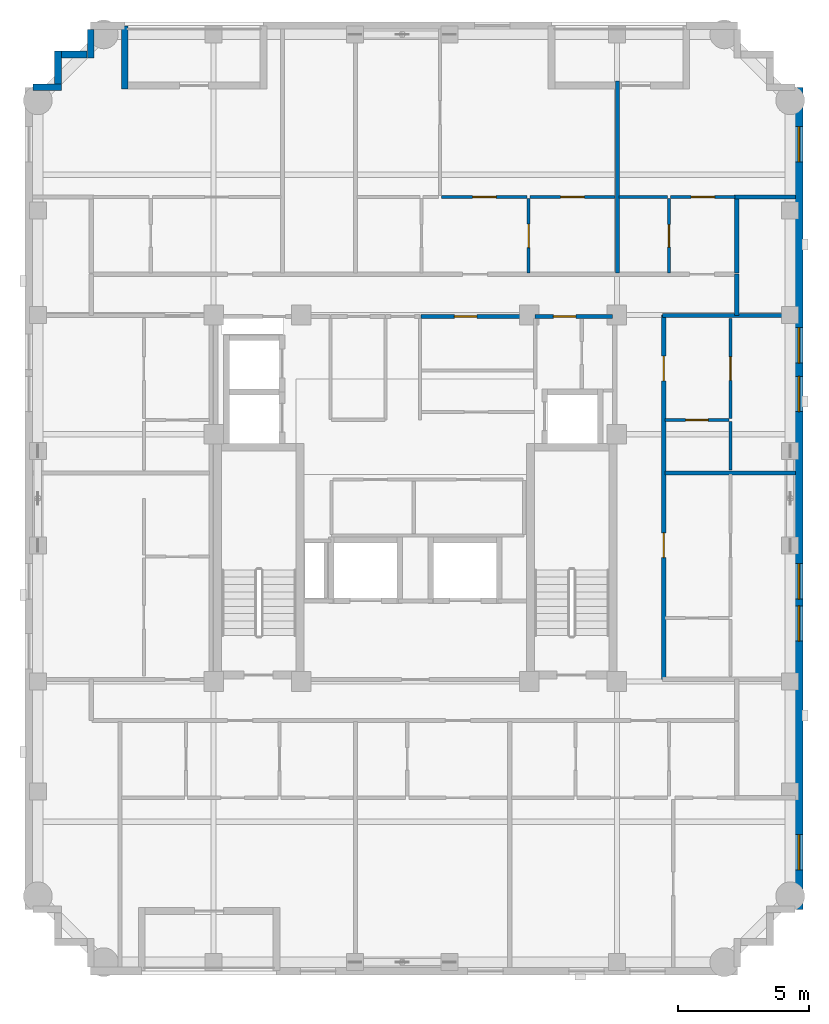
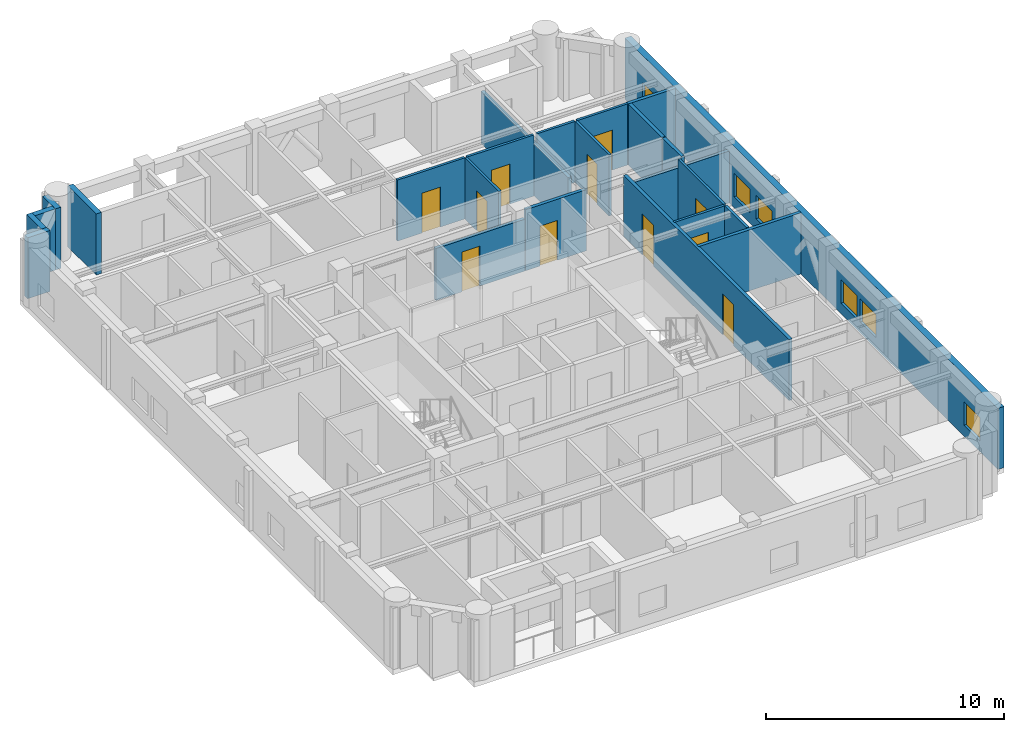
# One storey, part 6 of 10: 24 walls, 11 doors, 6 windows, 17 openings.
"""IFC4 building model written with IfcOpenShell, lengths in metres."""

from ifc_helpers import new_model, si_unit, derived_unit, direction, frame, frame_2d, origin, place, context, subcontext, project, spatial, rectangle, extrude, material, layer, layer_set, type_object, element, fill, save


model = new_model("IFC4")

# Units and contexts
model_context = context("Model", 3, precision=1e-05, world=origin(), true_north=direction((0.0, 1.0)))
body_context = subcontext(model_context, "Body", "Model", "MODEL_VIEW")
ifc_project = project(units=[si_unit("LENGTHUNIT", "METRE"), si_unit("AREAUNIT", "SQUARE_METRE"), si_unit("VOLUMEUNIT", "CUBIC_METRE"), si_unit("PLANEANGLEUNIT", "RADIAN"), si_unit("MASSUNIT", "GRAM", prefix="KILO"), derived_unit("THERMALTRANSMITTANCEUNIT", [(si_unit("MASSUNIT", "GRAM", prefix="KILO"), 1), (si_unit("TIMEUNIT", "SECOND"), -3), (si_unit("THERMODYNAMICTEMPERATUREUNIT", "KELVIN"), -1)])], contexts=[model_context])

# Site, building, storey
site_placement = place(None, origin())
site = spatial("IfcSite", under=ifc_project, at=site_placement, CompositionType="ELEMENT")
building_placement = place(site_placement, origin())
building = spatial("IfcBuilding", under=site, at=building_placement, Name="Korrvale Station Residences", CompositionType="ELEMENT")
storey_placement = place(building_placement, frame((0.0, 0.0, 234.300048828125)))
storey = spatial("IfcBuildingStorey", under=building, at=storey_placement, Name="L68", CompositionType="ELEMENT", Elevation=234.300048828125)

# Walls
ifc_material_1 = material(Name="Precast concrete C45/55", Category="concrete")
ifc_layer_1 = layer(ifc_material_1, 0.260009765625, Name="Precast concrete C45/55")
ifc_layer_set_1 = layer_set([ifc_layer_1], Name="Precast concrete C45/55")
wall_type_1 = type_object("IfcWallType", Name="WAL-EXT-LOG260", PredefinedType="SOLIDWALL", material=ifc_layer_set_1)
wall_1_placement = place(storey_placement, frame((14.39990234375, 40.0400390625, 0.0), z_axis=(0.0, 0.0, 1.0), x_axis=(0.0, -1.0, 0.0)))
element("IfcWall", 1, at=wall_1_placement, inside=storey, type_object=wall_type_1, Name="L68 Recessed Loggia Wall BAL-L68-N2-L", PredefinedType="SOLIDWALL", context=body_context, shape_type="SweptSolid", body=[
    extrude(rectangle(XDim=2.400146484375, YDim=0.260009765625, at=frame_2d((1.2001953125, 0.0))), origin(), (0.0, 0.0, 1.0), 3.139892578125),
])
wall_2_placement = place(storey_placement, frame((10.902099609375, 37.699951171875, 0.0), z_axis=(0.0, 0.0, 1.0), x_axis=(1.0, 0.0, 0.0)))
element("IfcWall", 2, at=wall_2_placement, inside=storey, type_object=wall_type_1, Name="L68 Serrated Corner Precast Step NW-1", PredefinedType="SOLIDWALL", context=body_context, shape_type="SweptSolid", body=[
    extrude(rectangle(XDim=1.077880859375, YDim=0.260009765625, at=frame_2d((0.5390625, 0.0))), origin(), (0.0, 0.0, 1.0), 3.139892578125),
])
wall_3_placement = place(storey_placement, frame((11.85009765625, 37.83203125, 0.0), z_axis=(0.0, 0.0, 1.0), x_axis=(0.0, 1.0, 0.0)))
element("IfcWall", 3, at=wall_3_placement, inside=storey, type_object=wall_type_1, Name="L68 Serrated Corner Precast Step NW-2", PredefinedType="SOLIDWALL", context=body_context, shape_type="SweptSolid", body=[
    extrude(rectangle(XDim=1.248046875, YDim=0.260009765625, at=frame_2d((0.6240234375, 0.0))), origin(), (0.0, 0.0, 1.0), 3.139892578125),
])
wall_4_placement = place(storey_placement, frame((11.98193359375, 38.949951171875, 0.0), z_axis=(0.0, 0.0, 1.0), x_axis=(1.0, 0.0, 0.0)))
element("IfcWall", 4, at=wall_4_placement, inside=storey, type_object=wall_type_1, Name="L68 Serrated Corner Precast Step NW-3", PredefinedType="SOLIDWALL", context=body_context, shape_type="SweptSolid", body=[
    extrude(rectangle(XDim=0.986083984375, YDim=0.260009765625, at=frame_2d((0.4931640625, 0.0))), origin(), (0.0, 0.0, 1.0), 3.139892578125),
])
wall_5_placement = place(storey_placement, frame((13.10009765625, 38.820068359375, 0.0), z_axis=(0.0, 0.0, 1.0), x_axis=(0.0, 1.0, 0.0)))
element("IfcWall", 5, at=wall_5_placement, inside=storey, type_object=wall_type_1, Name="L68 Serrated Corner Precast Step NW-4", PredefinedType="SOLIDWALL", context=body_context, shape_type="SweptSolid", body=[
    extrude(rectangle(XDim=1.077880859375, YDim=0.260009765625, at=frame_2d((0.5390625, 0.0))), origin(), (0.0, 0.0, 1.0), 3.139892578125),
])

# Wall, openings, windows
ifc_layer_2 = layer(ifc_material_1, 0.300048828125, Name="Precast concrete C45/55")
ifc_layer_set_2 = layer_set([ifc_layer_2], Name="Precast concrete C45/55")
wall_type_2 = type_object("IfcWallType", Name="WAL-EXT-PC300", PredefinedType="SOLIDWALL", material=ifc_layer_set_2)
wall_6_placement = place(storey_placement, frame((40.14990234375, 37.699951171875, 0.0), z_axis=(0.0, 0.0, 1.0), x_axis=(0.0, -1.0, 0.0)))
wall_6 = element("IfcWall", 6, at=wall_6_placement, inside=storey, type_object=wall_type_2, Name="L68 East Exterior Precast Wall 1", PredefinedType="SOLIDWALL", context=body_context, shape_type="SweptSolid", body=[
    extrude(rectangle(XDim=31.39990234375, YDim=0.300048828125, at=frame_2d((15.699951171875, 0.0))), origin(), (0.0, 0.0, 1.0), 3.139892578125),
])
opening_1_placement = place(wall_6_placement, frame((28.5458984375, 0.0, 0.550048828125)))
opening_1 = element("IfcOpeningElement", 7, at=opening_1_placement, cuts=wall_6, Name="Opening W-10", PredefinedType="OPENING", context=body_context, shape_type="SweptSolid", body=[
    extrude(rectangle(XDim=1.35009765625, YDim=1.199951171875, at=frame_2d((0.675048828125, 0.60009765625))), frame((0.0, 0.16015625, 0.0), z_axis=(0.0, -1.0, 0.0), x_axis=(1.0, 0.0, 0.0)), (0.0, 0.0, 1.0), 0.320068359375),
])
opening_2_placement = place(wall_6_placement, frame((1.50390625, 0.0, 0.550048828125)))
opening_2 = element("IfcOpeningElement", 8, at=opening_2_placement, cuts=wall_6, Name="Opening W-10", PredefinedType="OPENING", context=body_context, shape_type="SweptSolid", body=[
    extrude(rectangle(XDim=1.35009765625, YDim=1.199951171875, at=frame_2d((0.675048828125, 0.60009765625))), frame((0.0, 0.16015625, 0.0), z_axis=(0.0, -1.0, 0.0), x_axis=(1.0, 0.0, 0.0)), (0.0, 0.0, 1.0), 0.320068359375),
])
opening_3_placement = place(wall_6_placement, frame((18.199951171875, 0.0, 0.550048828125)))
opening_3 = element("IfcOpeningElement", 9, at=opening_3_placement, cuts=wall_6, Name="Opening W-10", PredefinedType="OPENING", context=body_context, shape_type="SweptSolid", body=[
    extrude(rectangle(XDim=1.35009765625, YDim=1.199951171875, at=frame_2d((0.675048828125, 0.60009765625))), frame((0.0, 0.16015625, 0.0), z_axis=(0.0, -1.0, 0.0), x_axis=(1.0, 0.0, 0.0)), (0.0, 0.0, 1.0), 0.320068359375),
])
opening_4_placement = place(wall_6_placement, frame((19.81005859375, 0.0, 0.550048828125)))
opening_4 = element("IfcOpeningElement", 10, at=opening_4_placement, cuts=wall_6, Name="Opening W-10", PredefinedType="OPENING", context=body_context, shape_type="SweptSolid", body=[
    extrude(rectangle(XDim=1.35009765625, YDim=1.199951171875, at=frame_2d((0.675048828125, 0.60009765625))), frame((0.0, 0.16015625, 0.0), z_axis=(0.0, -1.0, 0.0), x_axis=(1.0, 0.0, 0.0)), (0.0, 0.0, 1.0), 0.320068359375),
])
opening_5_placement = place(wall_6_placement, frame((11.04296875, 0.0, 0.550048828125)))
opening_5 = element("IfcOpeningElement", 11, at=opening_5_placement, cuts=wall_6, Name="Opening W-10", PredefinedType="OPENING", context=body_context, shape_type="SweptSolid", body=[
    extrude(rectangle(XDim=1.35009765625, YDim=1.199951171875, at=frame_2d((0.675048828125, 0.60009765625))), frame((0.0, 0.16015625, 0.0), z_axis=(0.0, -1.0, 0.0), x_axis=(1.0, 0.0, 0.0)), (0.0, 0.0, 1.0), 0.320068359375),
])
opening_6_placement = place(wall_6_placement, frame((9.18505859375, 0.0, 0.550048828125)))
opening_6 = element("IfcOpeningElement", 12, at=opening_6_placement, cuts=wall_6, Name="Opening W-10", PredefinedType="OPENING", context=body_context, shape_type="SweptSolid", body=[
    extrude(rectangle(XDim=1.35009765625, YDim=1.199951171875, at=frame_2d((0.675048828125, 0.60009765625))), frame((0.0, 0.16015625, 0.0), z_axis=(0.0, -1.0, 0.0), x_axis=(1.0, 0.0, 0.0)), (0.0, 0.0, 1.0), 0.320068359375),
])
ifc_material_2 = material(Name="Thermally broken aluminium frame with triple low-e glazing", Category="aluminium")
window_type = type_object("IfcWindowType", Name="WIN-W10", PartitioningType="SINGLE_PANEL", PredefinedType="WINDOW", material=ifc_material_2)
window_1_placement = place(opening_1_placement, origin())
window_1 = element("IfcWindow", 13, at=window_1_placement, inside=storey, type_object=window_type, Name="L68 Punched Window 05", OverallHeight=1.199951171875, OverallWidth=1.35009765625, PartitioningType="SINGLE_PANEL", PredefinedType="WINDOW", context=body_context, shape_type="SweptSolid", body=[
    extrude(rectangle(XDim=1.35009765625, YDim=1.199951171875, at=frame_2d((0.675048828125, 0.60009765625))), frame((0.0, 0.030029296875, 0.0), z_axis=(0.0, -1.0, 0.0), x_axis=(1.0, 0.0, 0.0)), (0.0, 0.0, 1.0), 0.06005859375),
])
fill(opening_1, window_1)
window_2_placement = place(opening_2_placement, origin())
window_2 = element("IfcWindow", 14, at=window_2_placement, inside=storey, type_object=window_type, Name="L68 Punched Window 08", OverallHeight=1.199951171875, OverallWidth=1.35009765625, PartitioningType="SINGLE_PANEL", PredefinedType="WINDOW", context=body_context, shape_type="SweptSolid", body=[
    extrude(rectangle(XDim=1.35009765625, YDim=1.199951171875, at=frame_2d((0.675048828125, 0.60009765625))), frame((0.0, 0.030029296875, 0.0), z_axis=(0.0, -1.0, 0.0), x_axis=(1.0, 0.0, 0.0)), (0.0, 0.0, 1.0), 0.06005859375),
])
fill(opening_2, window_2)
window_3_placement = place(opening_3_placement, origin())
window_3 = element("IfcWindow", 15, at=window_3_placement, inside=storey, type_object=window_type, Name="L68 Punched Window 13", OverallHeight=1.199951171875, OverallWidth=1.35009765625, PartitioningType="SINGLE_PANEL", PredefinedType="WINDOW", context=body_context, shape_type="SweptSolid", body=[
    extrude(rectangle(XDim=1.35009765625, YDim=1.199951171875, at=frame_2d((0.675048828125, 0.60009765625))), frame((0.0, 0.030029296875, 0.0), z_axis=(0.0, -1.0, 0.0), x_axis=(1.0, 0.0, 0.0)), (0.0, 0.0, 1.0), 0.06005859375),
])
fill(opening_3, window_3)
window_4_placement = place(opening_4_placement, origin())
window_4 = element("IfcWindow", 16, at=window_4_placement, inside=storey, type_object=window_type, Name="L68 Punched Window 14", OverallHeight=1.199951171875, OverallWidth=1.35009765625, PartitioningType="SINGLE_PANEL", PredefinedType="WINDOW", context=body_context, shape_type="SweptSolid", body=[
    extrude(rectangle(XDim=1.35009765625, YDim=1.199951171875, at=frame_2d((0.675048828125, 0.60009765625))), frame((0.0, 0.030029296875, 0.0), z_axis=(0.0, -1.0, 0.0), x_axis=(1.0, 0.0, 0.0)), (0.0, 0.0, 1.0), 0.06005859375),
])
fill(opening_4, window_4)
window_5_placement = place(opening_5_placement, origin())
window_5 = element("IfcWindow", 17, at=window_5_placement, inside=storey, type_object=window_type, Name="L68 Punched Window 15", OverallHeight=1.199951171875, OverallWidth=1.35009765625, PartitioningType="SINGLE_PANEL", PredefinedType="WINDOW", context=body_context, shape_type="SweptSolid", body=[
    extrude(rectangle(XDim=1.35009765625, YDim=1.199951171875, at=frame_2d((0.675048828125, 0.60009765625))), frame((0.0, 0.030029296875, 0.0), z_axis=(0.0, -1.0, 0.0), x_axis=(1.0, 0.0, 0.0)), (0.0, 0.0, 1.0), 0.06005859375),
])
fill(opening_5, window_5)
window_6_placement = place(opening_6_placement, origin())
window_6 = element("IfcWindow", 18, at=window_6_placement, inside=storey, type_object=window_type, Name="L68 Punched Window 16", OverallHeight=1.199951171875, OverallWidth=1.35009765625, PartitioningType="SINGLE_PANEL", PredefinedType="WINDOW", context=body_context, shape_type="SweptSolid", body=[
    extrude(rectangle(XDim=1.35009765625, YDim=1.199951171875, at=frame_2d((0.675048828125, 0.60009765625))), frame((0.0, 0.030029296875, 0.0), z_axis=(0.0, -1.0, 0.0), x_axis=(1.0, 0.0, 0.0)), (0.0, 0.0, 1.0), 0.06005859375),
])
fill(opening_6, window_6)

# Wall, opening, door
ifc_material_3 = material(Name="Acoustic steel-stud gypsum board partition", Category="steel")
ifc_layer_3 = layer(ifc_material_3, 0.1201171875, Name="Acoustic steel-stud gypsum board partition")
ifc_layer_set_3 = layer_set([ifc_layer_3], Name="Acoustic steel-stud gypsum board partition")
wall_type_3 = type_object("IfcWallType", Name="WAL-PART-125", PredefinedType="PARTITIONING", material=ifc_layer_set_3)
wall_7_placement = place(storey_placement, frame((29.830078125, 30.60009765625, 0.0), z_axis=(0.0, 0.0, 1.0), x_axis=(0.0, 1.0, 0.0)))
wall_7 = element("IfcWall", 19, at=wall_7_placement, inside=storey, type_object=wall_type_3, Name="L68 Suite Partition U05-V12", PredefinedType="PARTITIONING", context=body_context, shape_type="SweptSolid", body=[
    extrude(rectangle(XDim=2.849853515625, YDim=0.1201171875, at=frame_2d((1.4248046875, 0.0))), origin(), (0.0, 0.0, 1.0), 3.139892578125),
])
opening_7_placement = place(wall_7_placement, frame((0.97509765625, 0.0, 0.0)))
opening_7 = element("IfcOpeningElement", 20, at=opening_7_placement, cuts=wall_7, Name="Opening DI-900", PredefinedType="OPENING", context=body_context, shape_type="SweptSolid", body=[
    extrude(rectangle(XDim=0.89990234375, YDim=2.050048828125, at=frame_2d((0.449951171875, 1.02490234375))), frame((0.0, 0.070068359375, 0.0), z_axis=(0.0, -1.0, 0.0), x_axis=(1.0, 0.0, 0.0)), (0.0, 0.0, 1.0), 0.14013671875),
])
ifc_material_4 = material(Name="Painted solid-core timber interior room door", Category="wood")
door_type_1 = type_object("IfcDoorType", Name="DR-INT-900", OperationType="NOTDEFINED", PredefinedType="DOOR", material=ifc_material_4)
door_1_placement = place(opening_7_placement, origin())
door_1 = element("IfcDoor", 21, at=door_1_placement, inside=storey, type_object=door_type_1, Name="L68 Studio Apartment L68-U05 Kitchen Door", OperationType="SINGLE_SWING_LEFT", OverallHeight=2.050048828125, OverallWidth=0.89990234375, PredefinedType="DOOR", context=body_context, shape_type="SweptSolid", body=[
    extrude(rectangle(XDim=0.89990234375, YDim=2.050048828125, at=frame_2d((0.449951171875, 1.02490234375))), frame((0.0, 0.02490234375, 0.0), z_axis=(0.0, -1.0, 0.0), x_axis=(1.0, 0.0, 0.0)), (0.0, 0.0, 1.0), 0.050048828125),
])
fill(opening_7, door_1)

wall_8_placement = place(storey_placement, frame((26.5, 33.510009765625, 0.0), z_axis=(0.0, 0.0, 1.0), x_axis=(1.0, 0.0, 0.0)))
wall_8 = element("IfcWall", 22, at=wall_8_placement, inside=storey, type_object=wall_type_3, Name="L68 Suite Partition U05-H14", PredefinedType="PARTITIONING", context=body_context, shape_type="SweptSolid", body=[
    extrude(rectangle(XDim=3.27001953125, YDim=0.1201171875, at=frame_2d((1.635009765625, 0.0))), origin(), (0.0, 0.0, 1.0), 3.139892578125),
])
opening_8_placement = place(wall_8_placement, frame((1.18505859375, 0.0, 0.0)))
opening_8 = element("IfcOpeningElement", 23, at=opening_8_placement, cuts=wall_8, Name="Opening DI-900", PredefinedType="OPENING", context=body_context, shape_type="SweptSolid", body=[
    extrude(rectangle(XDim=0.89990234375, YDim=2.050048828125, at=frame_2d((0.449951171875, 1.02490234375))), frame((0.0, 0.070068359375, 0.0), z_axis=(0.0, -1.0, 0.0), x_axis=(1.0, 0.0, 0.0)), (0.0, 0.0, 1.0), 0.14013671875),
])
door_2_placement = place(opening_8_placement, origin())
door_2 = element("IfcDoor", 24, at=door_2_placement, inside=storey, type_object=door_type_1, Name="L68 Studio Apartment L68-U05 Kitchen Door", OperationType="SINGLE_SWING_RIGHT", OverallHeight=2.050048828125, OverallWidth=0.89990234375, PredefinedType="DOOR", context=body_context, shape_type="SweptSolid", body=[
    extrude(rectangle(XDim=0.89990234375, YDim=2.050048828125, at=frame_2d((0.449951171875, 1.02490234375))), frame((0.0, 0.02490234375, 0.0), z_axis=(0.0, -1.0, 0.0), x_axis=(1.0, 0.0, 0.0)), (0.0, 0.0, 1.0), 0.050048828125),
])
fill(opening_8, door_2)

wall_9_placement = place(storey_placement, frame((29.889892578125, 33.510009765625, 0.0), z_axis=(0.0, 0.0, 1.0), x_axis=(1.0, 0.0, 0.0)))
wall_9 = element("IfcWall", 25, at=wall_9_placement, inside=storey, type_object=wall_type_3, Name="L68 Suite Partition U05-H24", PredefinedType="PARTITIONING", context=body_context, shape_type="SweptSolid", body=[
    extrude(rectangle(XDim=3.230224609375, YDim=0.1201171875, at=frame_2d((1.615234375, 0.0))), origin(), (0.0, 0.0, 1.0), 3.139892578125),
])
opening_9_placement = place(wall_9_placement, frame((1.1650390625, 0.0, 0.0)))
opening_9 = element("IfcOpeningElement", 26, at=opening_9_placement, cuts=wall_9, Name="Opening DI-900", PredefinedType="OPENING", context=body_context, shape_type="SweptSolid", body=[
    extrude(rectangle(XDim=0.89990234375, YDim=2.050048828125, at=frame_2d((0.449951171875, 1.02490234375))), frame((0.0, 0.070068359375, 0.0), z_axis=(0.0, -1.0, 0.0), x_axis=(1.0, 0.0, 0.0)), (0.0, 0.0, 1.0), 0.14013671875),
])
door_3_placement = place(opening_9_placement, origin())
door_3 = element("IfcDoor", 27, at=door_3_placement, inside=storey, type_object=door_type_1, Name="L68 Studio Apartment L68-U05 Wardrobe Storage Room Door", OperationType="SINGLE_SWING_LEFT", OverallHeight=2.050048828125, OverallWidth=0.89990234375, PredefinedType="DOOR", context=body_context, shape_type="SweptSolid", body=[
    extrude(rectangle(XDim=0.89990234375, YDim=2.050048828125, at=frame_2d((0.449951171875, 1.02490234375))), frame((0.0, 0.02490234375, 0.0), z_axis=(0.0, -1.0, 0.0), x_axis=(1.0, 0.0, 0.0)), (0.0, 0.0, 1.0), 0.050048828125),
])
fill(opening_9, door_3)

wall_10_placement = place(storey_placement, frame((35.18994140625, 30.60009765625, 0.0), z_axis=(0.0, 0.0, 1.0), x_axis=(0.0, 1.0, 0.0)))
wall_10 = element("IfcWall", 28, at=wall_10_placement, inside=storey, type_object=wall_type_3, Name="L68 Suite Partition U06-V01", PredefinedType="PARTITIONING", context=body_context, shape_type="SweptSolid", body=[
    extrude(rectangle(XDim=2.849853515625, YDim=0.1201171875, at=frame_2d((1.4248046875, 0.0))), origin(), (0.0, 0.0, 1.0), 3.139892578125),
])
opening_10_placement = place(wall_10_placement, frame((0.9951171875, 0.0, 0.0)))
opening_10 = element("IfcOpeningElement", 29, at=opening_10_placement, cuts=wall_10, Name="Opening DB-860", PredefinedType="OPENING", context=body_context, shape_type="SweptSolid", body=[
    extrude(rectangle(XDim=0.860107421875, YDim=2.050048828125, at=frame_2d((0.43017578125, 1.02490234375))), frame((0.0, 0.070068359375, 0.0), z_axis=(0.0, -1.0, 0.0), x_axis=(1.0, 0.0, 0.0)), (0.0, 0.0, 1.0), 0.14013671875),
])
ifc_material_5 = material(Name="Moisture-resistant solid-core bathroom door", Category="timber")
door_type_2 = type_object("IfcDoorType", Name="DR-BATH-860", OperationType="NOTDEFINED", PredefinedType="DOOR", material=ifc_material_5)
door_4_placement = place(opening_10_placement, origin())
door_4 = element("IfcDoor", 30, at=door_4_placement, inside=storey, type_object=door_type_2, Name="L68 Studio Apartment L68-U06 Bathroom Door", OperationType="SINGLE_SWING_LEFT", OverallHeight=2.050048828125, OverallWidth=0.860107421875, PredefinedType="DOOR", context=body_context, shape_type="SweptSolid", body=[
    extrude(rectangle(XDim=0.860107421875, YDim=2.050048828125, at=frame_2d((0.43017578125, 1.02490234375))), frame((0.0, 0.02490234375, 0.0), z_axis=(0.0, -1.0, 0.0), x_axis=(1.0, 0.0, 0.0)), (0.0, 0.0, 1.0), 0.050048828125),
])
fill(opening_10, door_4)

# Wall
wall_11_placement = place(storey_placement, frame((33.280029296875, 33.510009765625, 0.0), z_axis=(0.0, 0.0, 1.0), x_axis=(1.0, 0.0, 0.0)))
element("IfcWall", 31, at=wall_11_placement, inside=storey, type_object=wall_type_3, Name="L68 Suite Partition U06-H02", PredefinedType="PARTITIONING", context=body_context, shape_type="SweptSolid", body=[
    extrude(rectangle(XDim=1.849853515625, YDim=0.1201171875, at=frame_2d((0.9248046875, 0.0))), origin(), (0.0, 0.0, 1.0), 3.139892578125),
])

# Wall, opening, door
wall_12_placement = place(storey_placement, frame((35.25, 33.510009765625, 0.0), z_axis=(0.0, 0.0, 1.0), x_axis=(1.0, 0.0, 0.0)))
wall_12 = element("IfcWall", 32, at=wall_12_placement, inside=storey, type_object=wall_type_3, Name="L68 Suite Partition U06-H12", PredefinedType="PARTITIONING", context=body_context, shape_type="SweptSolid", body=[
    extrude(rectangle(XDim=2.469970703125, YDim=0.1201171875, at=frame_2d((1.23486328125, 0.0))), origin(), (0.0, 0.0, 1.0), 3.139892578125),
])
opening_11_placement = place(wall_12_placement, frame((0.784912109375, 0.0, 0.0)))
opening_11 = element("IfcOpeningElement", 33, at=opening_11_placement, cuts=wall_12, Name="Opening DI-900", PredefinedType="OPENING", context=body_context, shape_type="SweptSolid", body=[
    extrude(rectangle(XDim=0.89990234375, YDim=2.050048828125, at=frame_2d((0.449951171875, 1.02490234375))), frame((0.0, 0.070068359375, 0.0), z_axis=(0.0, -1.0, 0.0), x_axis=(1.0, 0.0, 0.0)), (0.0, 0.0, 1.0), 0.14013671875),
])
door_5_placement = place(opening_11_placement, origin())
door_5 = element("IfcDoor", 34, at=door_5_placement, inside=storey, type_object=door_type_1, Name="L68 Studio Apartment L68-U06 Kitchen Door", OperationType="SINGLE_SWING_RIGHT", OverallHeight=2.050048828125, OverallWidth=0.89990234375, PredefinedType="DOOR", context=body_context, shape_type="SweptSolid", body=[
    extrude(rectangle(XDim=0.89990234375, YDim=2.050048828125, at=frame_2d((0.449951171875, 1.02490234375))), frame((0.0, 0.02490234375, 0.0), z_axis=(0.0, -1.0, 0.0), x_axis=(1.0, 0.0, 0.0)), (0.0, 0.0, 1.0), 0.050048828125),
])
fill(opening_11, door_5)

wall_13_placement = place(storey_placement, frame((35.030029296875, 24.991943359375, 0.0), z_axis=(0.0, 0.0, 1.0), x_axis=(1.0, 0.0, 0.0)))
wall_13 = element("IfcWall", 35, at=wall_13_placement, inside=storey, type_object=wall_type_3, Name="L68 Suite Partition U10-H01", PredefinedType="PARTITIONING", context=body_context, shape_type="SweptSolid", body=[
    extrude(rectangle(XDim=2.449951171875, YDim=0.1201171875, at=frame_2d((1.22509765625, 0.0))), origin(), (0.0, 0.0, 1.0), 3.139892578125),
])
opening_12_placement = place(wall_13_placement, frame((0.794921875, 0.0, 0.0)))
opening_12 = element("IfcOpeningElement", 36, at=opening_12_placement, cuts=wall_13, Name="Opening DB-860", PredefinedType="OPENING", context=body_context, shape_type="SweptSolid", body=[
    extrude(rectangle(XDim=0.860107421875, YDim=2.050048828125, at=frame_2d((0.43017578125, 1.02490234375))), frame((0.0, 0.070068359375, 0.0), z_axis=(0.0, -1.0, 0.0), x_axis=(1.0, 0.0, 0.0)), (0.0, 0.0, 1.0), 0.14013671875),
])
door_6_placement = place(opening_12_placement, origin())
door_6 = element("IfcDoor", 37, at=door_6_placement, inside=storey, type_object=door_type_2, Name="L68 Apartment 1BR L68-U10 Bathroom Door", OperationType="SINGLE_SWING_LEFT", OverallHeight=2.050048828125, OverallWidth=0.860107421875, PredefinedType="DOOR", context=body_context, shape_type="SweptSolid", body=[
    extrude(rectangle(XDim=0.860107421875, YDim=2.050048828125, at=frame_2d((0.43017578125, 1.02490234375))), frame((0.0, 0.02490234375, 0.0), z_axis=(0.0, -1.0, 0.0), x_axis=(1.0, 0.0, 0.0)), (0.0, 0.0, 1.0), 0.050048828125),
])
fill(opening_12, door_6)

# Wall
wall_14_placement = place(storey_placement, frame((37.5400390625, 23.08203125, 0.0), z_axis=(0.0, 0.0, 1.0), x_axis=(0.0, 1.0, 0.0)))
element("IfcWall", 38, at=wall_14_placement, inside=storey, type_object=wall_type_3, Name="L68 Suite Partition U10-V02", PredefinedType="PARTITIONING", context=body_context, shape_type="SweptSolid", body=[
    extrude(rectangle(XDim=1.849853515625, YDim=0.1201171875, at=frame_2d((0.9248046875, 0.0))), origin(), (0.0, 0.0, 1.0), 3.139892578125),
])

# Wall, opening, door
wall_15_placement = place(storey_placement, frame((37.5400390625, 25.052001953125, 0.0), z_axis=(0.0, 0.0, 1.0), x_axis=(0.0, 1.0, 0.0)))
wall_15 = element("IfcWall", 39, at=wall_15_placement, inside=storey, type_object=wall_type_3, Name="L68 Suite Partition U10-V12", PredefinedType="PARTITIONING", context=body_context, shape_type="SweptSolid", body=[
    extrude(rectangle(XDim=3.80810546875, YDim=0.1201171875, at=frame_2d((1.904052734375, 0.0))), origin(), (0.0, 0.0, 1.0), 3.139892578125),
])
opening_13_placement = place(wall_15_placement, frame((1.4541015625, 0.0, 0.0)))
opening_13 = element("IfcOpeningElement", 40, at=opening_13_placement, cuts=wall_15, Name="Opening DI-900", PredefinedType="OPENING", context=body_context, shape_type="SweptSolid", body=[
    extrude(rectangle(XDim=0.89990234375, YDim=2.050048828125, at=frame_2d((0.449951171875, 1.02490234375))), frame((0.0, 0.070068359375, 0.0), z_axis=(0.0, -1.0, 0.0), x_axis=(1.0, 0.0, 0.0)), (0.0, 0.0, 1.0), 0.14013671875),
])
door_7_placement = place(opening_13_placement, origin())
door_7 = element("IfcDoor", 41, at=door_7_placement, inside=storey, type_object=door_type_1, Name="L68 Apartment 1BR L68-U10 Kitchen Door", OperationType="SINGLE_SWING_RIGHT", OverallHeight=2.050048828125, OverallWidth=0.89990234375, PredefinedType="DOOR", context=body_context, shape_type="SweptSolid", body=[
    extrude(rectangle(XDim=0.89990234375, YDim=2.050048828125, at=frame_2d((0.449951171875, 1.02490234375))), frame((0.0, 0.02490234375, 0.0), z_axis=(0.0, -1.0, 0.0), x_axis=(1.0, 0.0, 0.0)), (0.0, 0.0, 1.0), 0.050048828125),
])
fill(opening_13, door_7)

ifc_material_6 = material(Name="Fire-rated twin-stud gypsum and mineral wool shaftwall assembly", Category="gypsum")
ifc_layer_4 = layer(ifc_material_6, 0.159912109375, Name="Fire-rated twin-stud gypsum and mineral wool shaftwall assembly")
ifc_layer_set_4 = layer_set([ifc_layer_4], Name="Fire-rated twin-stud gypsum and mineral wool shaftwall assembly")
wall_type_4 = type_object("IfcWallType", Name="WAL-PART-200", PredefinedType="PARTITIONING", material=ifc_layer_set_4)
wall_16_placement = place(storey_placement, frame((30.080078125, 28.949951171875, 0.0), z_axis=(0.0, 0.0, 1.0), x_axis=(1.0, 0.0, 0.0)))
wall_16 = element("IfcWall", 42, at=wall_16_placement, inside=storey, type_object=wall_type_4, Name="L68 Core Partition CW-CS-N", PredefinedType="PARTITIONING", context=body_context, shape_type="SweptSolid", body=[
    extrude(rectangle(XDim=2.9599609375, YDim=0.159912109375, at=frame_2d((1.47998046875, 0.0))), origin(), (0.0, 0.0, 1.0), 3.139892578125),
])
opening_14_placement = place(wall_16_placement, frame((0.695068359375, 0.0, 0.0)))
opening_14 = element("IfcOpeningElement", 43, at=opening_14_placement, cuts=wall_16, Name="Opening DB-860", PredefinedType="OPENING", context=body_context, shape_type="SweptSolid", body=[
    extrude(rectangle(XDim=0.860107421875, YDim=2.050048828125, at=frame_2d((0.43017578125, 1.02490234375))), frame((0.0, 0.08984375, 0.0), z_axis=(0.0, -1.0, 0.0), x_axis=(1.0, 0.0, 0.0)), (0.0, 0.0, 1.0), 0.179931640625),
])
door_8_placement = place(opening_14_placement, origin())
door_8 = element("IfcDoor", 44, at=door_8_placement, inside=storey, type_object=door_type_2, Name="L68 Housekeeping Supply Door", OperationType="SINGLE_SWING_LEFT", OverallHeight=2.050048828125, OverallWidth=0.860107421875, PredefinedType="DOOR", context=body_context, shape_type="SweptSolid", body=[
    extrude(rectangle(XDim=0.860107421875, YDim=2.050048828125, at=frame_2d((0.43017578125, 1.02490234375))), frame((0.0, 0.02490234375, 0.0), z_axis=(0.0, -1.0, 0.0), x_axis=(1.0, 0.0, 0.0)), (0.0, 0.0, 1.0), 0.050048828125),
])
fill(opening_14, door_8)

wall_17_placement = place(storey_placement, frame((25.719970703125, 28.949951171875, 0.0), z_axis=(0.0, 0.0, 1.0), x_axis=(1.0, 0.0, 0.0)))
wall_17 = element("IfcWall", 45, at=wall_17_placement, inside=storey, type_object=wall_type_4, Name="L68 Core Partition CW-FPLE-N", PredefinedType="PARTITIONING", context=body_context, shape_type="SweptSolid", body=[
    extrude(rectangle(XDim=4.320068359375, YDim=0.159912109375, at=frame_2d((2.16015625, 0.0))), origin(), (0.0, 0.0, 1.0), 2.66796875),
])
opening_15_placement = place(wall_17_placement, frame((1.27001953125, 0.0, 0.0)))
opening_15 = element("IfcOpeningElement", 46, at=opening_15_placement, cuts=wall_17, Name="Opening DB-860", PredefinedType="OPENING", context=body_context, shape_type="SweptSolid", body=[
    extrude(rectangle(XDim=0.860107421875, YDim=2.050048828125, at=frame_2d((0.43017578125, 1.02490234375))), frame((0.0, 0.08984375, 0.0), z_axis=(0.0, -1.0, 0.0), x_axis=(1.0, 0.0, 0.0)), (0.0, 0.0, 1.0), 0.179931640625),
])
door_9_placement = place(opening_15_placement, origin())
door_9 = element("IfcDoor", 47, at=door_9_placement, inside=storey, type_object=door_type_2, Name="L68 Luggage Store Door", OperationType="SINGLE_SWING_RIGHT", OverallHeight=2.050048828125, OverallWidth=0.860107421875, PredefinedType="DOOR", context=body_context, shape_type="SweptSolid", body=[
    extrude(rectangle(XDim=0.860107421875, YDim=2.050048828125, at=frame_2d((0.43017578125, 1.02490234375))), frame((0.0, 0.02490234375, 0.0), z_axis=(0.0, -1.0, 0.0), x_axis=(1.0, 0.0, 0.0)), (0.0, 0.0, 1.0), 0.050048828125),
])
fill(opening_15, door_9)

# Walls
wall_18_placement = place(storey_placement, frame((37.780029296875, 28.97998046875, 0.0), z_axis=(0.0, 0.0, 1.0), x_axis=(0.0, 1.0, 0.0)))
element("IfcWall", 48, at=wall_18_placement, inside=storey, type_object=wall_type_4, Name="L68 Corridor North East Cap", PredefinedType="PARTITIONING", context=body_context, shape_type="SweptSolid", body=[
    extrude(rectangle(XDim=1.580078125, YDim=0.159912109375, at=frame_2d((0.7900390625, 0.0))), origin(), (0.0, 0.0, 1.0), 3.139892578125),
])
wall_19_placement = place(storey_placement, frame((34.949951171875, 28.97998046875, 0.0), z_axis=(0.0, 0.0, 1.0), x_axis=(1.0, 0.0, 0.0)))
element("IfcWall", 49, at=wall_19_placement, inside=storey, type_object=wall_type_4, Name="L68 East Wing North Corridor Wall", PredefinedType="PARTITIONING", context=body_context, shape_type="SweptSolid", body=[
    extrude(rectangle(XDim=5.070068359375, YDim=0.159912109375, at=frame_2d((2.53515625, 0.0))), origin(), (0.0, 0.0, 1.0), 2.66796875),
])
wall_20_placement = place(storey_placement, frame((37.679931640625, 33.510009765625, 0.0), z_axis=(0.0, 0.0, 1.0), x_axis=(1.0, 0.0, 0.0)))
element("IfcWall", 50, at=wall_20_placement, inside=storey, type_object=wall_type_4, Name="L68 Corner Step Wall U06-R", PredefinedType="PARTITIONING", context=body_context, shape_type="SweptSolid", body=[
    extrude(rectangle(XDim=2.340087890625, YDim=0.159912109375, at=frame_2d((1.169921875, 0.0))), origin(), (0.0, 0.0, 1.0), 3.139892578125),
])
wall_21_placement = place(storey_placement, frame((37.780029296875, 30.60009765625, 0.0), z_axis=(0.0, 0.0, 1.0), x_axis=(0.0, 1.0, 0.0)))
element("IfcWall", 51, at=wall_21_placement, inside=storey, type_object=wall_type_4, Name="L68 Corner Step Cheek U06-R", PredefinedType="PARTITIONING", context=body_context, shape_type="SweptSolid", body=[
    extrude(rectangle(XDim=2.909912109375, YDim=0.159912109375, at=frame_2d((1.455078125, 0.0))), origin(), (0.0, 0.0, 1.0), 3.139892578125),
])
wall_22_placement = place(storey_placement, frame((33.219970703125, 30.60009765625, 0.0), z_axis=(0.0, 0.0, 1.0), x_axis=(0.0, 1.0, 0.0)))
element("IfcWall", 52, at=wall_22_placement, inside=storey, type_object=wall_type_4, Name="L68 Demising Wall U06-W", PredefinedType="PARTITIONING", context=body_context, shape_type="SweptSolid", body=[
    extrude(rectangle(XDim=7.33984375, YDim=0.159912109375, at=frame_2d((3.669921875, 0.0))), origin(), (0.0, 0.0, 1.0), 2.66796875),
])
wall_23_placement = place(storey_placement, frame((35.030029296875, 22.9619140625, 0.0), z_axis=(0.0, 0.0, 1.0), x_axis=(1.0, 0.0, 0.0)))
element("IfcWall", 53, at=wall_23_placement, inside=storey, type_object=wall_type_4, Name="L68 Demising Wall U09-N", PredefinedType="PARTITIONING", context=body_context, shape_type="SweptSolid", body=[
    extrude(rectangle(XDim=4.989990234375, YDim=0.159912109375, at=frame_2d((2.4951171875, 0.0))), origin(), (0.0, 0.0, 1.0), 3.139892578125),
])

# Wall, openings, doors
wall_24_placement = place(storey_placement, frame((34.989990234375, 15.070068359375, 0.0), z_axis=(0.0, 0.0, 1.0), x_axis=(0.0, 1.0, 0.0)))
wall_24 = element("IfcWall", 54, at=wall_24_placement, inside=storey, type_object=wall_type_4, Name="L68 Rated Corridor Wall E", PredefinedType="PARTITIONING", context=body_context, shape_type="SweptSolid", body=[
    extrude(rectangle(XDim=13.929931640625, YDim=0.159912109375, at=frame_2d((6.96484375, 0.0))), origin(), (0.0, 0.0, 1.0), 3.139892578125),
])
opening_16_placement = place(wall_24_placement, frame((4.660888671875, 0.0, 0.0)))
opening_16 = element("IfcOpeningElement", 55, at=opening_16_placement, cuts=wall_24, Name="Opening UD-950", PredefinedType="OPENING", context=body_context, shape_type="SweptSolid", body=[
    extrude(rectangle(XDim=0.949951171875, YDim=2.10009765625, at=frame_2d((0.47509765625, 1.050048828125))), frame((0.0, 0.08984375, 0.0), z_axis=(0.0, -1.0, 0.0), x_axis=(1.0, 0.0, 0.0)), (0.0, 0.0, 1.0), 0.179931640625),
])
opening_17_placement = place(wall_24_placement, frame((11.410888671875, 0.0, 0.0)))
opening_17 = element("IfcOpeningElement", 56, at=opening_17_placement, cuts=wall_24, Name="Opening UD-950", PredefinedType="OPENING", context=body_context, shape_type="SweptSolid", body=[
    extrude(rectangle(XDim=0.949951171875, YDim=2.10009765625, at=frame_2d((0.47509765625, 1.050048828125))), frame((0.0, 0.08984375, 0.0), z_axis=(0.0, -1.0, 0.0), x_axis=(1.0, 0.0, 0.0)), (0.0, 0.0, 1.0), 0.179931640625),
])
ifc_material_7 = material(Name="Solid-core acoustic oak apartment entrance door", Category="timber")
door_type_3 = type_object("IfcDoorType", Name="DR-UNIT-950", OperationType="NOTDEFINED", PredefinedType="DOOR", material=ifc_material_7)
door_10_placement = place(opening_16_placement, origin())
door_10 = element("IfcDoor", 57, at=door_10_placement, inside=storey, type_object=door_type_3, Name="L68 Apartment L68-U09 Entrance Door", OperationType="SINGLE_SWING_LEFT", OverallHeight=2.10009765625, OverallWidth=0.949951171875, PredefinedType="DOOR", context=body_context, shape_type="SweptSolid", body=[
    extrude(rectangle(XDim=0.949951171875, YDim=2.10009765625, at=frame_2d((0.47509765625, 1.050048828125))), frame((0.0, 0.02490234375, 0.0), z_axis=(0.0, -1.0, 0.0), x_axis=(1.0, 0.0, 0.0)), (0.0, 0.0, 1.0), 0.050048828125),
])
fill(opening_16, door_10)
door_11_placement = place(opening_17_placement, origin())
door_11 = element("IfcDoor", 58, at=door_11_placement, inside=storey, type_object=door_type_3, Name="L68 Apartment L68-U10 Entrance Door", OperationType="SINGLE_SWING_RIGHT", OverallHeight=2.10009765625, OverallWidth=0.949951171875, PredefinedType="DOOR", context=body_context, shape_type="SweptSolid", body=[
    extrude(rectangle(XDim=0.949951171875, YDim=2.10009765625, at=frame_2d((0.47509765625, 1.050048828125))), frame((0.0, 0.02490234375, 0.0), z_axis=(0.0, -1.0, 0.0), x_axis=(1.0, 0.0, 0.0)), (0.0, 0.0, 1.0), 0.050048828125),
])
fill(opening_17, door_11)

save(model, "model.ifc")
